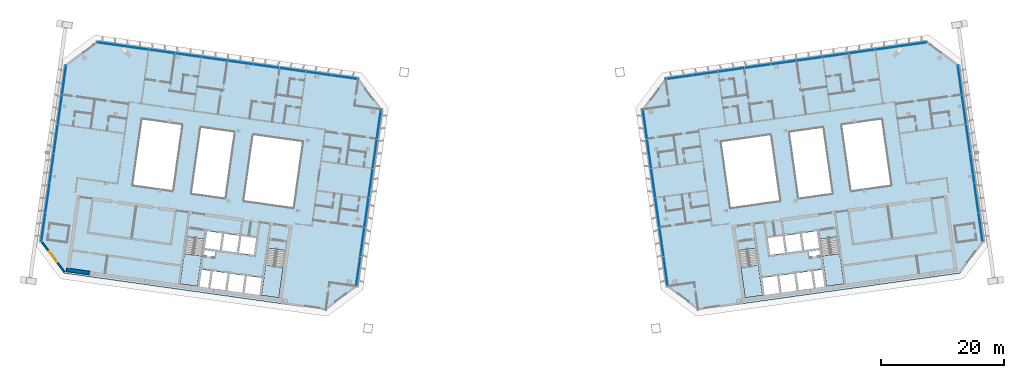
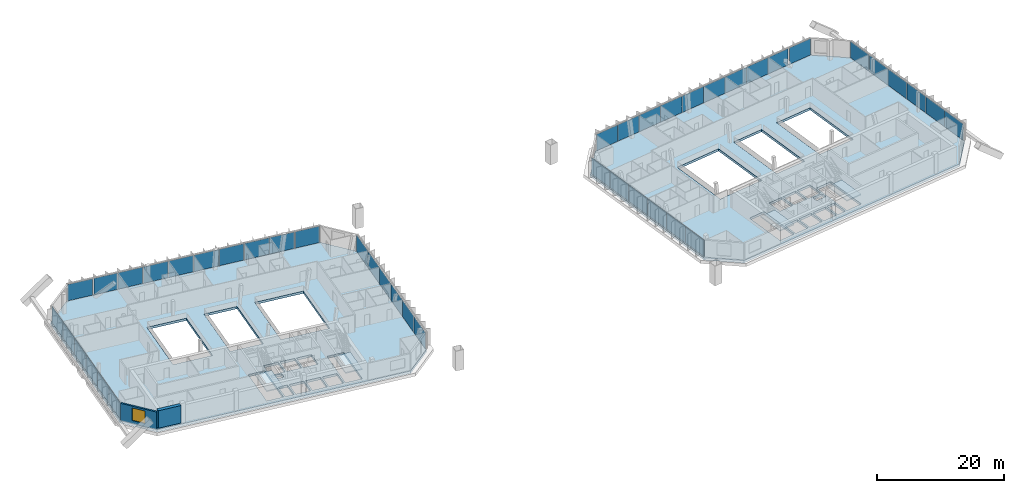
# One storey, part 14 of 26: 44 plates, 6 slabs, 2 walls, 1 window, 1 opening, 10 elements without a shape of their own.
"""IFC4 building model written with IfcOpenShell, lengths in metres."""

import ifcopenshell
import ifcopenshell.guid

model = None  # the IFC model being written
_history = None  # IfcOwnerHistory: only IFC2X3 demands one
_inside = {}  # id of a spatial element -> (the spatial element, [elements in it])
_under = {}  # id of a project, library or spatial element -> (it, [spatial elements below it])
_declared = {}  # id of a project -> (the project, [libraries it declares])
_typed = {}  # id of a type object -> (the type object, [elements of that type])
_made_of = {}  # id of a material, layer set ... -> (it, [elements and type objects made of it])


def new_model(schema):
    """Start an empty IFC model of exactly this schema.

    Asked for "IFC4X3", IfcOpenShell would pick the latest addendum, in which some entities
    have other attributes; the version numbers below select the first issue.
    IFC2X3 requires an IfcOwnerHistory on every rooted entity: one is made here for all.
    """
    global model, _history
    if schema == "IFC4X3":
        model = ifcopenshell.file(schema_version=(4, 3, 0, 0))
    else:
        model = ifcopenshell.file(schema=schema)
    _inside.clear()
    _under.clear()
    _declared.clear()
    _typed.clear()
    _made_of.clear()
    _history = None
    if model.schema == "IFC2X3":
        org = make("IfcOrganization", Name="unknown")
        user = make(
            "IfcPersonAndOrganization",
            ThePerson=make("IfcPerson", FamilyName="unknown"),
            TheOrganization=org,
        )
        app = make(
            "IfcApplication",
            ApplicationDeveloper=org,
            Version="unknown",
            ApplicationFullName="unknown",
            ApplicationIdentifier="unknown",
        )
        _history = make(
            "IfcOwnerHistory",
            OwningUser=user,
            OwningApplication=app,
            ChangeAction="ADDED",
            CreationDate=0,
        )
    return model


def make(cls, **values):
    """One entity of the class cls with the attributes given. An attribute that is None is left unset."""
    return model.create_entity(
        cls, **{name: value for name, value in values.items() if value is not None}
    )


def rooted(cls, **values):
    """An entity with a GlobalId (a new one), such as an element, a storey or a relation."""
    return make(cls, GlobalId=ifcopenshell.guid.new(), OwnerHistory=_history, **values)


def si_unit(unit_type, name, prefix=None):
    """IfcSIUnit, for example si_unit("LENGTHUNIT", "METRE", prefix="MILLI")."""
    return make("IfcSIUnit", UnitType=unit_type, Prefix=prefix, Name=name)


def assignment(units):
    """IfcUnitAssignment: the units of a project."""
    return None if units is None else make("IfcUnitAssignment", Units=units)


def point(xyz):
    """IfcCartesianPoint."""
    return None if xyz is None else make("IfcCartesianPoint", Coordinates=xyz)


def direction(xyz):
    """IfcDirection."""
    return None if xyz is None else make("IfcDirection", DirectionRatios=xyz)


def frame(location, z_axis=None, x_axis=None):
    """IfcAxis2Placement3D, a coordinate frame: its origin and axes. An axis left out is left unset."""
    return make(
        "IfcAxis2Placement3D",
        Location=point(location),
        Axis=direction(z_axis),
        RefDirection=direction(x_axis),
    )


def frame_2d(location, x_axis=None):
    """IfcAxis2Placement2D, a coordinate frame in the plane: its origin and x axis."""
    return make(
        "IfcAxis2Placement2D", Location=point(location), RefDirection=direction(x_axis)
    )


def origin():
    """The frame at (0, 0, 0) with its axes left unset."""
    return frame((0.0, 0.0, 0.0))


def origin_2d():
    """The frame at (0, 0) in the plane with its x axis left unset."""
    return frame_2d((0.0, 0.0))


def place(relative_to, where):
    """IfcLocalPlacement: puts the frame where relative to a parent placement (None: the world)."""
    return make(
        "IfcLocalPlacement", PlacementRelTo=relative_to, RelativePlacement=where
    )


def context(
    kind, dimensions, precision=None, world=None, true_north=None, identifier=None
):
    """IfcGeometricRepresentationContext, for example the 3D "Model" context."""
    return make(
        "IfcGeometricRepresentationContext",
        ContextIdentifier=identifier,
        ContextType=kind,
        CoordinateSpaceDimension=dimensions,
        Precision=precision,
        WorldCoordinateSystem=world,
        TrueNorth=true_north,
    )


def subcontext(parent, identifier, kind, view, scale=None):
    """IfcGeometricRepresentationSubContext, for example "Body" below "Model"."""
    return make(
        "IfcGeometricRepresentationSubContext",
        ContextIdentifier=identifier,
        ContextType=kind,
        ParentContext=parent,
        TargetScale=scale,
        TargetView=view,
    )


def project(units=None, contexts=None):
    """IfcProject with its units and contexts."""
    return rooted(
        "IfcProject",
        Name="project",
        RepresentationContexts=contexts,
        UnitsInContext=assignment(units),
    )


def spatial(cls, under=None, at=None, **own):
    """A site, building, storey or space (cls), placed at a placement, below another one or the project."""
    s = rooted(cls, ObjectPlacement=at, **own)
    if under is not None:
        _under.setdefault(under.id(), (under, []))[1].append(s)
    return s


def polyline(points):
    """IfcPolyline through the points."""
    return make("IfcPolyline", Points=[point(p) for p in points])


def profile(cls, at=None, kind="AREA", **sizes):
    """A parametric profile (cls). Its sizes go by their IFC names, for example OverallWidth=200.0."""
    return make(cls, ProfileType=kind, Position=at, **sizes)


def rectangle(**sizes):
    """IfcRectangleProfileDef."""
    return profile("IfcRectangleProfileDef", **sizes)


def outline(outer, holes=None, kind="AREA"):
    """IfcArbitraryClosedProfileDef: a profile drawn as a closed curve; with holes, ...WithVoids."""
    if holes is None:
        return make("IfcArbitraryClosedProfileDef", ProfileType=kind, OuterCurve=outer)
    return make(
        "IfcArbitraryProfileDefWithVoids",
        ProfileType=kind,
        OuterCurve=outer,
        InnerCurves=holes,
    )


def extrude(swept, where, along, depth):
    """IfcExtrudedAreaSolid: the profile swept, set in the frame where, extruded along a direction by depth."""
    return make(
        "IfcExtrudedAreaSolid",
        SweptArea=swept,
        Position=where,
        ExtrudedDirection=direction(along),
        Depth=depth,
    )


def shape(context_of_items, identifier, shape_type, items):
    """IfcShapeRepresentation: the items that make up one representation, for example the "Body"."""
    return make(
        "IfcShapeRepresentation",
        ContextOfItems=context_of_items,
        RepresentationIdentifier=identifier,
        RepresentationType=shape_type,
        Items=items,
    )


def material(Name=None, Category=None):
    """IfcMaterial."""
    return make("IfcMaterial", Name=Name, Category=Category)


def layer(
    of_material, thickness, ventilated=None, Name=None, Category=None, Priority=None
):
    """IfcMaterialLayer: one layer of a wall or slab, of a material (None: an air gap)."""
    return make(
        "IfcMaterialLayer",
        Material=of_material,
        LayerThickness=thickness,
        IsVentilated=ventilated,
        Name=Name,
        Category=Category,
        Priority=Priority,
    )


def layer_set(layers, Name=None):
    """IfcMaterialLayerSet."""
    return make("IfcMaterialLayerSet", MaterialLayers=layers, LayerSetName=Name)


def made_of(thing, what):
    """Note that an element or type object is made of a material, layer set ...; save() writes the relation."""
    if what is not None:
        _made_of.setdefault(what.id(), (what, []))[1].append(thing)
    return thing


def type_object(cls, material=None, **own):
    """A type object (cls), such as IfcWallType, which elements share."""
    return made_of(rooted(cls, **own), material)


def element(
    cls,
    number,
    at=None,
    inside=None,
    cuts=None,
    type_object=None,
    material=None,
    context=None,
    identifier="Body",
    shape_type=None,
    held_by="IfcProductDefinitionShape",
    body=None,
    shapes=None,
    **own,
):
    """One element of the class cls, such as IfcWall. Its Tag is "e" and its number.

    at: its placement. inside: the storey or other place that contains it. cuts: it is an
    opening in that element (IfcRelVoidsElement). A single representation is given by context,
    identifier, shape_type and body (its items); several are given by shapes. held_by: the class
    of the entity that holds the representations. save() writes the other relations.
    """
    e = rooted(cls, Tag="e%d" % number, ObjectPlacement=at, **own)
    if body is not None:
        shapes = [shape(context, identifier, shape_type, body)]
    if shapes is not None:
        e.Representation = make(held_by, Representations=shapes)
    if inside is not None:
        _inside.setdefault(inside.id(), (inside, []))[1].append(e)
    if cuts is not None:
        rooted(
            "IfcRelVoidsElement", RelatingBuildingElement=cuts, RelatedOpeningElement=e
        )
    if type_object is not None:
        _typed.setdefault(type_object.id(), (type_object, []))[1].append(e)
    return made_of(e, material)


def fill(opening, filler):
    """IfcRelFillsElement: the door or window that sits in an opening."""
    return rooted(
        "IfcRelFillsElement",
        RelatingOpeningElement=opening,
        RelatedBuildingElement=filler,
    )


def aggregate(whole, parts):
    """IfcRelAggregates: a whole, such as a stair, and the parts it consists of."""
    return rooted("IfcRelAggregates", RelatingObject=whole, RelatedObjects=parts)


def save(model, path):
    """Write the relations noted so far, then the file.

    IfcRelAggregates (storeys below a building ...), IfcRelContainedInSpatialStructure (elements
    in a storey), IfcRelDefinesByType, IfcRelAssociatesMaterial and IfcRelDeclares: one each for
    every whole, place, type object, material and project.
    """
    for whole, parts in _under.values():
        aggregate(whole, parts)
    for where, things in _inside.values():
        rooted(
            "IfcRelContainedInSpatialStructure",
            RelatedElements=things,
            RelatingStructure=where,
        )
    for kind, things in _typed.values():
        rooted("IfcRelDefinesByType", RelatedObjects=things, RelatingType=kind)
    for what, things in _made_of.values():
        rooted("IfcRelAssociatesMaterial", RelatedObjects=things, RelatingMaterial=what)
    for by, libraries in _declared.values():
        rooted("IfcRelDeclares", RelatingContext=by, RelatedDefinitions=libraries)
    model.write(path)


model = new_model("IFC4")

# Units and contexts
model_context = context("Model", 3, precision=1e-05, world=origin(), true_north=direction((0.0, 1.0)))
body_context = subcontext(model_context, "Body", "Model", "MODEL_VIEW")
ifc_project = project(units=[si_unit("LENGTHUNIT", "METRE"), si_unit("AREAUNIT", "SQUARE_METRE"), si_unit("VOLUMEUNIT", "CUBIC_METRE"), si_unit("PLANEANGLEUNIT", "RADIAN"), si_unit("MASSUNIT", "GRAM", prefix="KILO")], contexts=[model_context])

# Site, building, storey
site_placement = place(None, origin())
site = spatial("IfcSite", under=ifc_project, at=site_placement, CompositionType="ELEMENT")
building_placement = place(site_placement, origin())
building = spatial("IfcBuilding", under=site, at=building_placement, Name="Mirante Cascada Hotel Towers", CompositionType="ELEMENT")
storey_placement = place(building_placement, frame((0.0, 0.0, 228.0)))
storey = spatial("IfcBuildingStorey", under=building, at=storey_placement, Name="L54", CompositionType="ELEMENT", Elevation=228.0)

# Curtain wall, plates
ifc_material_1 = material(Name="Aluminium mullion and transom frame with clear laminated glass", Category="aluminium")
curtain_wall_type_1 = type_object("IfcCurtainWallType", Name="Ribbon curtain wall ECW1", PredefinedType="NOTDEFINED", material=ifc_material_1)
curtain_wall_1_placement = place(storey_placement, origin())
curtain_wall_1 = element("IfcCurtainWall", 1, at=curtain_wall_1_placement, inside=storey, type_object=curtain_wall_type_1, Name="Front ribbon wall T1 L54", PredefinedType="NOTDEFINED")
ifc_material_2 = material(Name="Clear laminated glass", Category="glass")
ifc_layer_1 = layer(ifc_material_2, 0.036)
ifc_layer_set_1 = layer_set([ifc_layer_1], Name="ECW1 glass panel 36")
plate_type_1 = type_object("IfcPlateType", Name="ECW1 glass panel 36", PredefinedType="CURTAIN_PANEL", material=ifc_layer_set_1)
plate_1_placement = place(storey_placement, frame((-65.2855, 21.9943, 0.1), z_axis=(0.0, 0.0, 1.0), x_axis=(0.9902681, -0.1391731, 0.0)))
plate_1 = element("IfcPlate", 2, at=plate_1_placement, type_object=plate_type_1, Name="ECW1 panel 1", PredefinedType="CURTAIN_PANEL", context=body_context, shape_type="SweptSolid", body=[
    extrude(rectangle(XDim=4.1828, YDim=0.036, at=origin_2d()), origin(), (0.0, 0.0, 1.0), 3.15),
])
plate_2_placement = place(storey_placement, frame((-60.9421, 21.3839, 0.1), z_axis=(0.0, 0.0, 1.0), x_axis=(0.9902681, -0.1391731, 0.0)))
plate_2 = element("IfcPlate", 3, at=plate_2_placement, type_object=plate_type_1, Name="ECW1 panel 2", PredefinedType="CURTAIN_PANEL", context=body_context, shape_type="SweptSolid", body=[
    extrude(rectangle(XDim=3.9756, YDim=0.036, at=origin_2d()), origin(), (0.0, 0.0, 1.0), 3.15),
])
plate_3_placement = place(storey_placement, frame((-56.8216, 20.8048, 0.1), z_axis=(0.0, 0.0, 1.0), x_axis=(0.9902681, -0.1391731, 0.0)))
plate_3 = element("IfcPlate", 4, at=plate_3_placement, type_object=plate_type_1, Name="ECW1 panel 3", PredefinedType="CURTAIN_PANEL", context=body_context, shape_type="SweptSolid", body=[
    extrude(rectangle(XDim=4.2164, YDim=0.036, at=origin_2d()), origin(), (0.0, 0.0, 1.0), 3.15),
])
plate_4_placement = place(storey_placement, frame((-52.5818, 20.2089, 0.1), z_axis=(0.0, 0.0, 1.0), x_axis=(0.9902681, -0.1391731, 0.0)))
plate_4 = element("IfcPlate", 5, at=plate_4_placement, type_object=plate_type_1, Name="ECW1 panel 4", PredefinedType="CURTAIN_PANEL", context=body_context, shape_type="SweptSolid", body=[
    extrude(rectangle(XDim=4.2164, YDim=0.036, at=origin_2d()), origin(), (0.0, 0.0, 1.0), 3.15),
])
plate_5_placement = place(storey_placement, frame((-48.3421, 19.6131, 0.1), z_axis=(0.0, 0.0, 1.0), x_axis=(0.9902681, -0.1391731, 0.0)))
plate_5 = element("IfcPlate", 6, at=plate_5_placement, type_object=plate_type_1, Name="ECW1 panel 5", PredefinedType="CURTAIN_PANEL", context=body_context, shape_type="SweptSolid", body=[
    extrude(rectangle(XDim=4.2164, YDim=0.036, at=origin_2d()), origin(), (0.0, 0.0, 1.0), 3.15),
])
plate_6_placement = place(storey_placement, frame((-44.1024, 19.0172, 0.1), z_axis=(0.0, 0.0, 1.0), x_axis=(0.9902681, -0.1391731, 0.0)))
plate_6 = element("IfcPlate", 7, at=plate_6_placement, type_object=plate_type_1, Name="ECW1 panel 6", PredefinedType="CURTAIN_PANEL", context=body_context, shape_type="SweptSolid", body=[
    extrude(rectangle(XDim=4.2164, YDim=0.036, at=origin_2d()), origin(), (0.0, 0.0, 1.0), 3.15),
])
plate_7_placement = place(storey_placement, frame((-39.8626, 18.4214, 0.1), z_axis=(0.0, 0.0, 1.0), x_axis=(0.9902681, -0.1391731, 0.0)))
plate_7 = element("IfcPlate", 8, at=plate_7_placement, type_object=plate_type_1, Name="ECW1 panel 7", PredefinedType="CURTAIN_PANEL", context=body_context, shape_type="SweptSolid", body=[
    extrude(rectangle(XDim=4.2164, YDim=0.036, at=origin_2d()), origin(), (0.0, 0.0, 1.0), 3.15),
])
plate_8_placement = place(storey_placement, frame((-35.6229, 17.8255, 0.1), z_axis=(0.0, 0.0, 1.0), x_axis=(0.9902681, -0.1391731, 0.0)))
plate_8 = element("IfcPlate", 9, at=plate_8_placement, type_object=plate_type_1, Name="ECW1 panel 8", PredefinedType="CURTAIN_PANEL", context=body_context, shape_type="SweptSolid", body=[
    extrude(rectangle(XDim=4.2164, YDim=0.036, at=origin_2d()), origin(), (0.0, 0.0, 1.0), 3.15),
])
plate_9_placement = place(storey_placement, frame((-31.3832, 17.2296, 0.1), z_axis=(0.0, 0.0, 1.0), x_axis=(0.9902681, -0.1391731, 0.0)))
plate_9 = element("IfcPlate", 10, at=plate_9_placement, type_object=plate_type_1, Name="ECW1 panel 9", PredefinedType="CURTAIN_PANEL", context=body_context, shape_type="SweptSolid", body=[
    extrude(rectangle(XDim=4.2164, YDim=0.036, at=origin_2d()), origin(), (0.0, 0.0, 1.0), 3.15),
])
plate_10_placement = place(storey_placement, frame((-27.1595, 16.636, 0.1), z_axis=(0.0, 0.0, 1.0), x_axis=(0.9902681, -0.1391731, 0.0)))
plate_10 = element("IfcPlate", 11, at=plate_10_placement, type_object=plate_type_1, Name="ECW1 panel 10", PredefinedType="CURTAIN_PANEL", context=body_context, shape_type="SweptSolid", body=[
    extrude(rectangle(XDim=4.1839, YDim=0.036, at=origin_2d()), origin(), (0.0, 0.0, 1.0), 3.15),
])
aggregate(curtain_wall_1, [plate_1, plate_2, plate_3, plate_4, plate_5, plate_6, plate_7, plate_8, plate_9, plate_10])

curtain_wall_2_placement = place(storey_placement, origin())
curtain_wall_2 = element("IfcCurtainWall", 12, at=curtain_wall_2_placement, inside=storey, type_object=curtain_wall_type_1, Name="Front ribbon wall T2 L54", PredefinedType="NOTDEFINED")
plate_11_placement = place(storey_placement, frame((65.2855, 21.9943, 0.1), z_axis=(0.0, 0.0, 1.0), x_axis=(-0.9902681, -0.1391731, 0.0)))
plate_11 = element("IfcPlate", 13, at=plate_11_placement, type_object=plate_type_1, Name="ECW1 panel 1", PredefinedType="CURTAIN_PANEL", context=body_context, shape_type="SweptSolid", body=[
    extrude(rectangle(XDim=4.1828, YDim=0.036, at=origin_2d()), origin(), (0.0, 0.0, 1.0), 3.15),
])
plate_12_placement = place(storey_placement, frame((60.9421, 21.3839, 0.1), z_axis=(0.0, 0.0, 1.0), x_axis=(-0.9902681, -0.1391731, 0.0)))
plate_12 = element("IfcPlate", 14, at=plate_12_placement, type_object=plate_type_1, Name="ECW1 panel 2", PredefinedType="CURTAIN_PANEL", context=body_context, shape_type="SweptSolid", body=[
    extrude(rectangle(XDim=3.9756, YDim=0.036, at=origin_2d()), origin(), (0.0, 0.0, 1.0), 3.15),
])
plate_13_placement = place(storey_placement, frame((56.8216, 20.8048, 0.1), z_axis=(0.0, 0.0, 1.0), x_axis=(-0.9902681, -0.1391731, 0.0)))
plate_13 = element("IfcPlate", 15, at=plate_13_placement, type_object=plate_type_1, Name="ECW1 panel 3", PredefinedType="CURTAIN_PANEL", context=body_context, shape_type="SweptSolid", body=[
    extrude(rectangle(XDim=4.2164, YDim=0.036, at=origin_2d()), origin(), (0.0, 0.0, 1.0), 3.15),
])
plate_14_placement = place(storey_placement, frame((52.5818, 20.2089, 0.1), z_axis=(0.0, 0.0, 1.0), x_axis=(-0.9902681, -0.1391731, 0.0)))
plate_14 = element("IfcPlate", 16, at=plate_14_placement, type_object=plate_type_1, Name="ECW1 panel 4", PredefinedType="CURTAIN_PANEL", context=body_context, shape_type="SweptSolid", body=[
    extrude(rectangle(XDim=4.2164, YDim=0.036, at=origin_2d()), origin(), (0.0, 0.0, 1.0), 3.15),
])
plate_15_placement = place(storey_placement, frame((48.3421, 19.6131, 0.1), z_axis=(0.0, 0.0, 1.0), x_axis=(-0.9902681, -0.1391731, 0.0)))
plate_15 = element("IfcPlate", 17, at=plate_15_placement, type_object=plate_type_1, Name="ECW1 panel 5", PredefinedType="CURTAIN_PANEL", context=body_context, shape_type="SweptSolid", body=[
    extrude(rectangle(XDim=4.2164, YDim=0.036, at=origin_2d()), origin(), (0.0, 0.0, 1.0), 3.15),
])
plate_16_placement = place(storey_placement, frame((44.1024, 19.0172, 0.1), z_axis=(0.0, 0.0, 1.0), x_axis=(-0.9902681, -0.1391731, 0.0)))
plate_16 = element("IfcPlate", 18, at=plate_16_placement, type_object=plate_type_1, Name="ECW1 panel 6", PredefinedType="CURTAIN_PANEL", context=body_context, shape_type="SweptSolid", body=[
    extrude(rectangle(XDim=4.2164, YDim=0.036, at=origin_2d()), origin(), (0.0, 0.0, 1.0), 3.15),
])
plate_17_placement = place(storey_placement, frame((39.8626, 18.4214, 0.1), z_axis=(0.0, 0.0, 1.0), x_axis=(-0.9902681, -0.1391731, 0.0)))
plate_17 = element("IfcPlate", 19, at=plate_17_placement, type_object=plate_type_1, Name="ECW1 panel 7", PredefinedType="CURTAIN_PANEL", context=body_context, shape_type="SweptSolid", body=[
    extrude(rectangle(XDim=4.2164, YDim=0.036, at=origin_2d()), origin(), (0.0, 0.0, 1.0), 3.15),
])
plate_18_placement = place(storey_placement, frame((35.6229, 17.8255, 0.1), z_axis=(0.0, 0.0, 1.0), x_axis=(-0.9902681, -0.1391731, 0.0)))
plate_18 = element("IfcPlate", 20, at=plate_18_placement, type_object=plate_type_1, Name="ECW1 panel 8", PredefinedType="CURTAIN_PANEL", context=body_context, shape_type="SweptSolid", body=[
    extrude(rectangle(XDim=4.2164, YDim=0.036, at=origin_2d()), origin(), (0.0, 0.0, 1.0), 3.15),
])
plate_19_placement = place(storey_placement, frame((31.3832, 17.2296, 0.1), z_axis=(0.0, 0.0, 1.0), x_axis=(-0.9902681, -0.1391731, 0.0)))
plate_19 = element("IfcPlate", 21, at=plate_19_placement, type_object=plate_type_1, Name="ECW1 panel 9", PredefinedType="CURTAIN_PANEL", context=body_context, shape_type="SweptSolid", body=[
    extrude(rectangle(XDim=4.2164, YDim=0.036, at=origin_2d()), origin(), (0.0, 0.0, 1.0), 3.15),
])
plate_20_placement = place(storey_placement, frame((27.1595, 16.636, 0.1), z_axis=(0.0, 0.0, 1.0), x_axis=(-0.9902681, -0.1391731, 0.0)))
plate_20 = element("IfcPlate", 22, at=plate_20_placement, type_object=plate_type_1, Name="ECW1 panel 10", PredefinedType="CURTAIN_PANEL", context=body_context, shape_type="SweptSolid", body=[
    extrude(rectangle(XDim=4.1839, YDim=0.036, at=origin_2d()), origin(), (0.0, 0.0, 1.0), 3.15),
])
aggregate(curtain_wall_2, [plate_11, plate_12, plate_13, plate_14, plate_15, plate_16, plate_17, plate_18, plate_19, plate_20])

ifc_material_3 = material(Name="Aluminium mullion and transom frame with clear laminated glass", Category="aluminium")
curtain_wall_type_2 = type_object("IfcCurtainWallType", Name="End ribbon curtain wall ECW2", PredefinedType="NOTDEFINED", material=ifc_material_3)
curtain_wall_3_placement = place(storey_placement, origin())
curtain_wall_3 = element("IfcCurtainWall", 23, at=curtain_wall_3_placement, inside=storey, type_object=curtain_wall_type_2, Name="Inner end wall T1 L54", PredefinedType="NOTDEFINED")
ifc_material_4 = material(Name="Clear laminated glass", Category="glass")
ifc_layer_2 = layer(ifc_material_4, 0.034)
ifc_layer_set_2 = layer_set([ifc_layer_2], Name="ECW2 glass panel 34")
plate_type_2 = type_object("IfcPlateType", Name="ECW2 glass panel 34", PredefinedType="CURTAIN_PANEL", material=ifc_layer_set_2)
plate_21_placement = place(storey_placement, frame((-21.6056, 8.9536, 0.1), z_axis=(0.0, 0.0, 1.0), x_axis=(-0.1391731, -0.9902681, 0.0)))
plate_21 = element("IfcPlate", 24, at=plate_21_placement, type_object=plate_type_2, Name="ECW2 panel 1", PredefinedType="CURTAIN_PANEL", context=body_context, shape_type="SweptSolid", body=[
    extrude(rectangle(XDim=4.7151, YDim=0.034, at=origin_2d()), origin(), (0.0, 0.0, 1.0), 3.15),
])
plate_22_placement = place(storey_placement, frame((-22.2731, 4.2039, 0.1), z_axis=(0.0, 0.0, 1.0), x_axis=(-0.1391731, -0.9902681, 0.0)))
plate_22 = element("IfcPlate", 25, at=plate_22_placement, type_object=plate_type_2, Name="ECW2 panel 2", PredefinedType="CURTAIN_PANEL", context=body_context, shape_type="SweptSolid", body=[
    extrude(rectangle(XDim=4.7476, YDim=0.034, at=origin_2d()), origin(), (0.0, 0.0, 1.0), 3.15),
])
plate_23_placement = place(storey_placement, frame((-22.9429, -0.5619, 0.1), z_axis=(0.0, 0.0, 1.0), x_axis=(-0.1391731, -0.9902681, 0.0)))
plate_23 = element("IfcPlate", 26, at=plate_23_placement, type_object=plate_type_2, Name="ECW2 panel 3", PredefinedType="CURTAIN_PANEL", context=body_context, shape_type="SweptSolid", body=[
    extrude(rectangle(XDim=4.7476, YDim=0.034, at=origin_2d()), origin(), (0.0, 0.0, 1.0), 3.15),
])
plate_24_placement = place(storey_placement, frame((-23.6127, -5.3276, 0.1), z_axis=(0.0, 0.0, 1.0), x_axis=(-0.1391731, -0.9902681, 0.0)))
plate_24 = element("IfcPlate", 27, at=plate_24_placement, type_object=plate_type_2, Name="ECW2 panel 4", PredefinedType="CURTAIN_PANEL", context=body_context, shape_type="SweptSolid", body=[
    extrude(rectangle(XDim=4.7476, YDim=0.034, at=origin_2d()), origin(), (0.0, 0.0, 1.0), 3.15),
])
plate_25_placement = place(storey_placement, frame((-24.2825, -10.0934, 0.1), z_axis=(0.0, 0.0, 1.0), x_axis=(-0.1391731, -0.9902681, 0.0)))
plate_25 = element("IfcPlate", 28, at=plate_25_placement, type_object=plate_type_2, Name="ECW2 panel 5", PredefinedType="CURTAIN_PANEL", context=body_context, shape_type="SweptSolid", body=[
    extrude(rectangle(XDim=4.7476, YDim=0.034, at=origin_2d()), origin(), (0.0, 0.0, 1.0), 3.15),
])
plate_26_placement = place(storey_placement, frame((-24.95, -14.8431, 0.1), z_axis=(0.0, 0.0, 1.0), x_axis=(-0.1391731, -0.9902681, 0.0)))
plate_26 = element("IfcPlate", 29, at=plate_26_placement, type_object=plate_type_2, Name="ECW2 panel 6", PredefinedType="CURTAIN_PANEL", context=body_context, shape_type="SweptSolid", body=[
    extrude(rectangle(XDim=4.7151, YDim=0.034, at=origin_2d()), origin(), (0.0, 0.0, 1.0), 3.15),
])
aggregate(curtain_wall_3, [plate_21, plate_22, plate_23, plate_24, plate_25, plate_26])

curtain_wall_4_placement = place(storey_placement, origin())
curtain_wall_4 = element("IfcCurtainWall", 30, at=curtain_wall_4_placement, inside=storey, type_object=curtain_wall_type_2, Name="Outer end wall T1 L54", PredefinedType="NOTDEFINED")
plate_27_placement = place(storey_placement, frame((-76.0857, -7.6565, 0.1), z_axis=(0.0, 0.0, 1.0), x_axis=(0.1391731, 0.9902681, 0.0)))
plate_27 = element("IfcPlate", 31, at=plate_27_placement, type_object=plate_type_2, Name="ECW2 panel 1", PredefinedType="CURTAIN_PANEL", context=body_context, shape_type="SweptSolid", body=[
    extrude(rectangle(XDim=4.7151, YDim=0.034, at=origin_2d()), origin(), (0.0, 0.0, 1.0), 3.15),
])
plate_28_placement = place(storey_placement, frame((-75.4182, -2.9068, 0.1), z_axis=(0.0, 0.0, 1.0), x_axis=(0.1391731, 0.9902681, 0.0)))
plate_28 = element("IfcPlate", 32, at=plate_28_placement, type_object=plate_type_2, Name="ECW2 panel 2", PredefinedType="CURTAIN_PANEL", context=body_context, shape_type="SweptSolid", body=[
    extrude(rectangle(XDim=4.7476, YDim=0.034, at=origin_2d()), origin(), (0.0, 0.0, 1.0), 3.15),
])
plate_29_placement = place(storey_placement, frame((-73.4088, 11.3906, 0.1), z_axis=(0.0, 0.0, 1.0), x_axis=(0.1391731, 0.9902681, 0.0)))
plate_29 = element("IfcPlate", 33, at=plate_29_placement, type_object=plate_type_2, Name="ECW2 panel 5", PredefinedType="CURTAIN_PANEL", context=body_context, shape_type="SweptSolid", body=[
    extrude(rectangle(XDim=4.7476, YDim=0.034, at=origin_2d()), origin(), (0.0, 0.0, 1.0), 3.15),
])
plate_30_placement = place(storey_placement, frame((-72.7413, 16.1403, 0.1), z_axis=(0.0, 0.0, 1.0), x_axis=(0.1391731, 0.9902681, 0.0)))
plate_30 = element("IfcPlate", 34, at=plate_30_placement, type_object=plate_type_2, Name="ECW2 panel 6", PredefinedType="CURTAIN_PANEL", context=body_context, shape_type="SweptSolid", body=[
    extrude(rectangle(XDim=4.7151, YDim=0.034, at=origin_2d()), origin(), (0.0, 0.0, 1.0), 3.15),
])

curtain_wall_5_placement = place(storey_placement, origin())
curtain_wall_5 = element("IfcCurtainWall", 35, at=curtain_wall_5_placement, inside=storey, type_object=curtain_wall_type_2, Name="Inner end wall T2 L54", PredefinedType="NOTDEFINED")
plate_31_placement = place(storey_placement, frame((21.6056, 8.9536, 0.1), z_axis=(0.0, 0.0, 1.0), x_axis=(0.1391731, -0.9902681, 0.0)))
plate_31 = element("IfcPlate", 36, at=plate_31_placement, type_object=plate_type_2, Name="ECW2 panel 1", PredefinedType="CURTAIN_PANEL", context=body_context, shape_type="SweptSolid", body=[
    extrude(rectangle(XDim=4.7151, YDim=0.034, at=origin_2d()), origin(), (0.0, 0.0, 1.0), 3.15),
])
plate_32_placement = place(storey_placement, frame((22.2731, 4.2039, 0.1), z_axis=(0.0, 0.0, 1.0), x_axis=(0.1391731, -0.9902681, 0.0)))
plate_32 = element("IfcPlate", 37, at=plate_32_placement, type_object=plate_type_2, Name="ECW2 panel 2", PredefinedType="CURTAIN_PANEL", context=body_context, shape_type="SweptSolid", body=[
    extrude(rectangle(XDim=4.7476, YDim=0.034, at=origin_2d()), origin(), (0.0, 0.0, 1.0), 3.15),
])
plate_33_placement = place(storey_placement, frame((22.9429, -0.5619, 0.1), z_axis=(0.0, 0.0, 1.0), x_axis=(0.1391731, -0.9902681, 0.0)))
plate_33 = element("IfcPlate", 38, at=plate_33_placement, type_object=plate_type_2, Name="ECW2 panel 3", PredefinedType="CURTAIN_PANEL", context=body_context, shape_type="SweptSolid", body=[
    extrude(rectangle(XDim=4.7476, YDim=0.034, at=origin_2d()), origin(), (0.0, 0.0, 1.0), 3.15),
])
plate_34_placement = place(storey_placement, frame((23.6127, -5.3276, 0.1), z_axis=(0.0, 0.0, 1.0), x_axis=(0.1391731, -0.9902681, 0.0)))
plate_34 = element("IfcPlate", 39, at=plate_34_placement, type_object=plate_type_2, Name="ECW2 panel 4", PredefinedType="CURTAIN_PANEL", context=body_context, shape_type="SweptSolid", body=[
    extrude(rectangle(XDim=4.7476, YDim=0.034, at=origin_2d()), origin(), (0.0, 0.0, 1.0), 3.15),
])
plate_35_placement = place(storey_placement, frame((24.2825, -10.0934, 0.1), z_axis=(0.0, 0.0, 1.0), x_axis=(0.1391731, -0.9902681, 0.0)))
plate_35 = element("IfcPlate", 40, at=plate_35_placement, type_object=plate_type_2, Name="ECW2 panel 5", PredefinedType="CURTAIN_PANEL", context=body_context, shape_type="SweptSolid", body=[
    extrude(rectangle(XDim=4.7476, YDim=0.034, at=origin_2d()), origin(), (0.0, 0.0, 1.0), 3.15),
])
plate_36_placement = place(storey_placement, frame((24.95, -14.8431, 0.1), z_axis=(0.0, 0.0, 1.0), x_axis=(0.1391731, -0.9902681, 0.0)))
plate_36 = element("IfcPlate", 41, at=plate_36_placement, type_object=plate_type_2, Name="ECW2 panel 6", PredefinedType="CURTAIN_PANEL", context=body_context, shape_type="SweptSolid", body=[
    extrude(rectangle(XDim=4.7151, YDim=0.034, at=origin_2d()), origin(), (0.0, 0.0, 1.0), 3.15),
])
aggregate(curtain_wall_5, [plate_31, plate_32, plate_33, plate_34, plate_35, plate_36])

curtain_wall_6_placement = place(storey_placement, origin())
curtain_wall_6 = element("IfcCurtainWall", 42, at=curtain_wall_6_placement, inside=storey, type_object=curtain_wall_type_2, Name="Outer end wall T2 L54", PredefinedType="NOTDEFINED")
plate_37_placement = place(storey_placement, frame((76.0857, -7.6565, 0.1), z_axis=(0.0, 0.0, 1.0), x_axis=(-0.1391731, 0.9902681, 0.0)))
plate_37 = element("IfcPlate", 43, at=plate_37_placement, type_object=plate_type_2, Name="ECW2 panel 1", PredefinedType="CURTAIN_PANEL", context=body_context, shape_type="SweptSolid", body=[
    extrude(rectangle(XDim=4.7151, YDim=0.034, at=origin_2d()), origin(), (0.0, 0.0, 1.0), 3.15),
])
plate_38_placement = place(storey_placement, frame((75.4182, -2.9068, 0.1), z_axis=(0.0, 0.0, 1.0), x_axis=(-0.1391731, 0.9902681, 0.0)))
plate_38 = element("IfcPlate", 44, at=plate_38_placement, type_object=plate_type_2, Name="ECW2 panel 2", PredefinedType="CURTAIN_PANEL", context=body_context, shape_type="SweptSolid", body=[
    extrude(rectangle(XDim=4.7476, YDim=0.034, at=origin_2d()), origin(), (0.0, 0.0, 1.0), 3.15),
])
plate_39_placement = place(storey_placement, frame((73.4088, 11.3906, 0.1), z_axis=(0.0, 0.0, 1.0), x_axis=(-0.1391731, 0.9902681, 0.0)))
plate_39 = element("IfcPlate", 45, at=plate_39_placement, type_object=plate_type_2, Name="ECW2 panel 5", PredefinedType="CURTAIN_PANEL", context=body_context, shape_type="SweptSolid", body=[
    extrude(rectangle(XDim=4.7476, YDim=0.034, at=origin_2d()), origin(), (0.0, 0.0, 1.0), 3.15),
])
plate_40_placement = place(storey_placement, frame((72.7413, 16.1403, 0.1), z_axis=(0.0, 0.0, 1.0), x_axis=(-0.1391731, 0.9902681, 0.0)))
plate_40 = element("IfcPlate", 46, at=plate_40_placement, type_object=plate_type_2, Name="ECW2 panel 6", PredefinedType="CURTAIN_PANEL", context=body_context, shape_type="SweptSolid", body=[
    extrude(rectangle(XDim=4.7151, YDim=0.034, at=origin_2d()), origin(), (0.0, 0.0, 1.0), 3.15),
])

# Plate
ifc_material_5 = material(Name="Insulated aluminium spandrel panel", Category="aluminium")
ifc_layer_3 = layer(ifc_material_5, 0.034)
ifc_layer_set_3 = layer_set([ifc_layer_3], Name="ECW2 spandrel panel 34")
plate_type_3 = type_object("IfcPlateType", Name="ECW2 spandrel panel 34", PredefinedType="CURTAIN_PANEL", material=ifc_layer_set_3)
plate_41_placement = place(storey_placement, frame((-74.7484, 1.859, 0.1), z_axis=(0.0, 0.0, 1.0), x_axis=(0.1391731, 0.9902681, 0.0)))
plate_41 = element("IfcPlate", 47, at=plate_41_placement, type_object=plate_type_3, Name="ECW2 panel 3", PredefinedType="CURTAIN_PANEL", context=body_context, shape_type="SweptSolid", body=[
    extrude(rectangle(XDim=4.7476, YDim=0.034, at=origin_2d()), origin(), (0.0, 0.0, 1.0), 3.15),
])

plate_42_placement = place(storey_placement, frame((-74.0786, 6.6248, 0.1), z_axis=(0.0, 0.0, 1.0), x_axis=(0.1391731, 0.9902681, 0.0)))
plate_42 = element("IfcPlate", 48, at=plate_42_placement, type_object=plate_type_3, Name="ECW2 panel 4", PredefinedType="CURTAIN_PANEL", context=body_context, shape_type="SweptSolid", body=[
    extrude(rectangle(XDim=4.7476, YDim=0.034, at=origin_2d()), origin(), (0.0, 0.0, 1.0), 3.15),
])

aggregate(curtain_wall_4, [plate_27, plate_28, plate_41, plate_42, plate_29, plate_30])

plate_43_placement = place(storey_placement, frame((74.7484, 1.859, 0.1), z_axis=(0.0, 0.0, 1.0), x_axis=(-0.1391731, 0.9902681, 0.0)))
plate_43 = element("IfcPlate", 49, at=plate_43_placement, type_object=plate_type_3, Name="ECW2 panel 3", PredefinedType="CURTAIN_PANEL", context=body_context, shape_type="SweptSolid", body=[
    extrude(rectangle(XDim=4.7476, YDim=0.034, at=origin_2d()), origin(), (0.0, 0.0, 1.0), 3.15),
])

plate_44_placement = place(storey_placement, frame((74.0786, 6.6248, 0.1), z_axis=(0.0, 0.0, 1.0), x_axis=(-0.1391731, 0.9902681, 0.0)))
plate_44 = element("IfcPlate", 50, at=plate_44_placement, type_object=plate_type_3, Name="ECW2 panel 4", PredefinedType="CURTAIN_PANEL", context=body_context, shape_type="SweptSolid", body=[
    extrude(rectangle(XDim=4.7476, YDim=0.034, at=origin_2d()), origin(), (0.0, 0.0, 1.0), 3.15),
])

aggregate(curtain_wall_6, [plate_37, plate_38, plate_43, plate_44, plate_39, plate_40])

# Stair, slab
ifc_material_6 = material(Name="Concrete C35/45", Category="concrete")
stair_type = type_object("IfcStairType", Name="Exit stair half-turn 1350 concrete C35/45", PredefinedType="HALF_TURN_STAIR", material=ifc_material_6)
stair_1_placement = place(storey_placement, origin())
stair_1 = element("IfcStair", 51, at=stair_1_placement, inside=storey, type_object=stair_type, Name="L54 Exit stair A", PredefinedType="HALF_TURN_STAIR")
ifc_material_7 = material(Name="Concrete C35/45", Category="concrete")
ifc_layer_4 = layer(ifc_material_7, 0.2)
ifc_layer_set_4 = layer_set([ifc_layer_4], Name="Exit stair landing 200 concrete C35/45")
slab_type_1 = type_object("IfcSlabType", Name="Exit stair landing 200 concrete C35/45", PredefinedType="LANDING", material=ifc_layer_set_4)
slab_1_placement = place(storey_placement, frame((0.0, 0.0, 1.7)))
slab_1 = element("IfcSlab", 52, at=slab_1_placement, type_object=slab_type_1, Name="ST1-A landing 1", PredefinedType="LANDING", context=body_context, shape_type="SweptSolid", body=[
    extrude(outline(polyline([(-39.9987, -13.8659), (-40.6887, -18.7757), (-37.8665, -19.1723), (-37.1765, -14.2626), (-39.9987, -13.8659)])), origin(), (0.0, 0.0, 1.0), 0.2),
])
aggregate(stair_1, [slab_1])

stair_2_placement = place(storey_placement, origin())
stair_2 = element("IfcStair", 53, at=stair_2_placement, inside=storey, type_object=stair_type, Name="L54 Exit stair B", PredefinedType="HALF_TURN_STAIR")
slab_2_placement = place(storey_placement, frame((0.0, 0.0, 1.7)))
slab_2 = element("IfcSlab", 54, at=slab_2_placement, type_object=slab_type_1, Name="ST1-B landing 1", PredefinedType="LANDING", context=body_context, shape_type="SweptSolid", body=[
    extrude(outline(polyline([(-53.2188, -12.008), (-53.9088, -16.9177), (-51.0866, -17.3144), (-50.3965, -12.4046), (-53.2188, -12.008)])), origin(), (0.0, 0.0, 1.0), 0.2),
])
aggregate(stair_2, [slab_2])

stair_3_placement = place(storey_placement, origin())
stair_3 = element("IfcStair", 55, at=stair_3_placement, inside=storey, type_object=stair_type, Name="L54 Exit stair A", PredefinedType="HALF_TURN_STAIR")
slab_3_placement = place(storey_placement, frame((0.0, 0.0, 1.7)))
slab_3 = element("IfcSlab", 56, at=slab_3_placement, type_object=slab_type_1, Name="ST2-A landing 1", PredefinedType="LANDING", context=body_context, shape_type="SweptSolid", body=[
    extrude(outline(polyline([(37.1765, -14.2626), (37.8665, -19.1723), (40.6887, -18.7757), (39.9987, -13.8659), (37.1765, -14.2626)])), origin(), (0.0, 0.0, 1.0), 0.2),
])
aggregate(stair_3, [slab_3])

stair_4_placement = place(storey_placement, origin())
stair_4 = element("IfcStair", 57, at=stair_4_placement, inside=storey, type_object=stair_type, Name="L54 Exit stair B", PredefinedType="HALF_TURN_STAIR")
slab_4_placement = place(storey_placement, frame((0.0, 0.0, 1.7)))
slab_4 = element("IfcSlab", 58, at=slab_4_placement, type_object=slab_type_1, Name="ST2-B landing 1", PredefinedType="LANDING", context=body_context, shape_type="SweptSolid", body=[
    extrude(outline(polyline([(50.3965, -12.4046), (51.0866, -17.3144), (53.9088, -16.9177), (53.2188, -12.008), (50.3965, -12.4046)])), origin(), (0.0, 0.0, 1.0), 0.2),
])
aggregate(stair_4, [slab_4])

# Slabs
ifc_material_8 = material(Name="Concrete C40/50", Category="concrete")
ifc_layer_5 = layer(ifc_material_8, 0.45)
ifc_layer_set_5 = layer_set([ifc_layer_5], Name="Post-tensioned flat plate 450 Concrete C40/50")
slab_type_2 = type_object("IfcSlabType", Name="Post-tensioned flat plate 450 Concrete C40/50", PredefinedType="FLOOR", material=ifc_layer_set_5)
slab_5_placement = place(storey_placement, frame((0.0, 0.0, -0.45)))
element("IfcSlab", 59, at=slab_5_placement, inside=storey, type_object=slab_type_2, Name="Floor T1 L54", PredefinedType="FLOOR", context=body_context, shape_type="SweptSolid", body=[
    extrude(outline(polyline([(-25.1473, -17.3245), (-21.1112, 11.3933), (-24.9412, 16.4758), (-67.4616, 22.4516), (-72.5441, 18.6217), (-76.5801, -10.0961), (-72.7501, -15.1786), (-30.2297, -21.1544), (-25.1473, -17.3245)]), holes=[polyline([(-40.5961, -15.9612), (-40.9858, -18.7339), (-43.4615, -18.386), (-43.0718, -15.6132), (-40.5961, -15.9612)]), polyline([(-43.3689, -15.5715), (-43.7586, -18.3442), (-46.2342, -17.9963), (-45.8446, -15.2236), (-43.3689, -15.5715)]), polyline([(-46.1416, -15.1818), (-46.5313, -17.9546), (-49.007, -17.6066), (-48.6173, -14.8339), (-46.1416, -15.1818)]), polyline([(-36.7887, -11.5037), (-37.8665, -19.1723), (-40.6887, -18.7757), (-39.611, -11.107), (-36.7887, -11.5037)]), polyline([(-43.9775, -9.124), (-41.5018, -9.472), (-41.8915, -12.2447), (-44.3672, -11.8968), (-43.9775, -9.124)]), polyline([(-44.2746, -9.0823), (-44.6643, -11.855), (-47.1399, -11.5071), (-46.7503, -8.7344), (-44.2746, -9.0823)]), polyline([(-50.3998, -14.5834), (-48.9144, -14.7921), (-49.3041, -17.5649), (-50.7895, -17.3561), (-50.3998, -14.5834)]), polyline([(-50.0088, -9.6457), (-51.0866, -17.3144), (-53.9088, -16.9177), (-52.8311, -9.2491), (-50.0088, -9.6457)]), polyline([(-48.1472, -11.6685), (-48.2829, -12.634), (-50.0901, -12.38), (-49.9544, -11.4145), (-48.1472, -11.6685)]), polyline([(-49.523, -8.3447), (-47.0473, -8.6926), (-47.437, -11.4654), (-49.9127, -11.1174), (-49.523, -8.3447)]), polyline([(-53.5264, 8.9811), (-55.0573, -1.9118), (-55.0573, -1.9118), (-61.6666, -0.983), (-60.1357, 9.91), (-53.5264, 8.9811)]), polyline([(-45.0223, 7.7859), (-46.5532, -3.107), (-52.0845, -2.3296), (-52.0845, -2.3296), (-50.5536, 8.5633), (-45.0223, 7.7859)]), polyline([(-33.8946, 6.222), (-35.4255, -4.6709), (-43.5804, -3.5248), (-42.0495, 7.3681), (-33.8946, 6.222)])]), origin(), (0.0, 0.0, 1.0), 0.45),
])
slab_6_placement = place(storey_placement, frame((0.0, 0.0, -0.45)))
element("IfcSlab", 60, at=slab_6_placement, inside=storey, type_object=slab_type_2, Name="Floor T2 L54", PredefinedType="FLOOR", context=body_context, shape_type="SweptSolid", body=[
    extrude(outline(polyline([(25.1473, -17.3245), (21.1112, 11.3933), (24.9412, 16.4758), (67.4616, 22.4516), (72.5441, 18.6217), (76.5801, -10.0961), (72.7501, -15.1786), (30.2297, -21.1544), (25.1473, -17.3245)]), holes=[polyline([(40.5961, -15.9612), (40.9858, -18.7339), (43.4615, -18.386), (43.0718, -15.6132), (40.5961, -15.9612)]), polyline([(43.3689, -15.5715), (43.7586, -18.3442), (46.2342, -17.9963), (45.8446, -15.2236), (43.3689, -15.5715)]), polyline([(46.1416, -15.1818), (46.5313, -17.9546), (49.007, -17.6066), (48.6173, -14.8339), (46.1416, -15.1818)]), polyline([(37.8665, -19.1723), (40.6887, -18.7757), (39.611, -11.107), (36.7887, -11.5037), (37.8665, -19.1723)]), polyline([(43.9775, -9.124), (41.5018, -9.472), (41.8915, -12.2447), (44.3672, -11.8968), (43.9775, -9.124)]), polyline([(44.2746, -9.0823), (44.6643, -11.855), (47.1399, -11.5071), (46.7503, -8.7344), (44.2746, -9.0823)]), polyline([(50.3998, -14.5834), (48.9144, -14.7921), (49.3041, -17.5649), (50.7895, -17.3561), (50.3998, -14.5834)]), polyline([(51.0866, -17.3144), (53.9088, -16.9177), (52.8311, -9.2491), (50.0088, -9.6457), (51.0866, -17.3144)]), polyline([(48.1472, -11.6685), (48.2829, -12.634), (50.0901, -12.38), (49.9544, -11.4145), (48.1472, -11.6685)]), polyline([(49.523, -8.3447), (47.0473, -8.6926), (47.437, -11.4654), (49.9127, -11.1174), (49.523, -8.3447)]), polyline([(60.1357, 9.91), (61.6666, -0.983), (55.0573, -1.9118), (55.0573, -1.9118), (53.5264, 8.9811), (60.1357, 9.91)]), polyline([(50.5536, 8.5633), (52.0845, -2.3296), (52.0845, -2.3296), (46.5532, -3.107), (45.0223, 7.7859), (50.5536, 8.5633)]), polyline([(42.0495, 7.3681), (43.5804, -3.5248), (35.4255, -4.6709), (33.8946, 6.222), (42.0495, 7.3681)])]), origin(), (0.0, 0.0, 1.0), 0.45),
])

# Wall, opening, window
ifc_material_9 = material(Name="Precast concrete C40/50", Category="concrete")
ifc_layer_6 = layer(ifc_material_9, 0.3)
ifc_layer_set_6 = layer_set([ifc_layer_6], Name="Precast concrete C40/50 cladding wall 300")
wall_type_1 = type_object("IfcWallType", Name="Precast concrete C40/50 cladding wall 300", PredefinedType="STANDARD", material=ifc_layer_set_6)
wall_1_placement = place(storey_placement, frame((-72.7051, -14.9892, 0.0), z_axis=(0.0, 0.0, 1.0), x_axis=(-0.6018141, 0.7986362, 0.0)))
wall_1 = element("IfcWall", 61, at=wall_1_placement, inside=storey, type_object=wall_type_1, Name="Corner cladding wall T1 L54 rear outer", PredefinedType="STANDARD", context=body_context, shape_type="SweptSolid", body=[
    extrude(rectangle(XDim=6.1157, YDim=0.3, at=frame_2d((3.0578, 0.0))), origin(), (0.0, 0.0, 1.0), 3.35),
])
opening_placement = place(wall_1_placement, frame((1.9578, 0.0, 0.6)))
opening = element("IfcOpeningElement", 62, at=opening_placement, cuts=wall_1, Name="Opening W1-54-02", PredefinedType="OPENING", context=body_context, shape_type="SweptSolid", body=[
    extrude(rectangle(XDim=2.2, YDim=2.4, at=frame_2d((1.1, 1.2))), frame((0.0, 0.15, 0.0), z_axis=(0.0, -1.0, 0.0), x_axis=(1.0, 0.0, 0.0)), (0.0, 0.0, 1.0), 0.3),
])
ifc_material_10 = material(Name="Aluminium frame with clear double glazing", Category="aluminium")
window_type = type_object("IfcWindowType", Name="Corner suite window 2200x2400", PartitioningType="DOUBLE_PANEL_VERTICAL", PredefinedType="WINDOW", material=ifc_material_10)
window_placement = place(opening_placement, origin())
window = element("IfcWindow", 63, at=window_placement, inside=storey, type_object=window_type, Name="Window W1-54-02", OverallHeight=2.4, OverallWidth=2.2, PartitioningType="SINGLE_PANEL", PredefinedType="WINDOW", context=body_context, shape_type="SweptSolid", body=[
    extrude(rectangle(XDim=2.2, YDim=2.4, at=frame_2d((1.1, 1.2))), frame((0.0, 0.03, 0.0), z_axis=(0.0, -1.0, 0.0), x_axis=(1.0, 0.0, 0.0)), (0.0, 0.0, 1.0), 0.06),
])
fill(opening, window)

# Wall
ifc_material_11 = material(Name="Concrete C50/60", Category="concrete")
ifc_layer_7 = layer(ifc_material_11, 0.6)
ifc_layer_set_7 = layer_set([ifc_layer_7], Name="RC core wall 600 C50/60")
wall_type_2 = type_object("IfcWallType", Name="RC core wall 600 C50/60", PredefinedType="SHEAR", material=ifc_layer_set_7)
wall_2_placement = place(storey_placement, frame((-68.557, -15.162, 0.0), z_axis=(0.0, 0.0, 1.0), x_axis=(-0.990269, 0.1391665, 0.0)))
element("IfcWall", 64, at=wall_2_placement, inside=storey, type_object=wall_type_2, Name="Core wall T1:L54:1.4", PredefinedType="SHEAR", context=body_context, shape_type="SweptSolid", body=[
    extrude(rectangle(XDim=3.8501, YDim=0.6, at=frame_2d((1.925, 0.0))), origin(), (0.0, 0.0, 1.0), 3.35),
])

save(model, "model.ifc")
